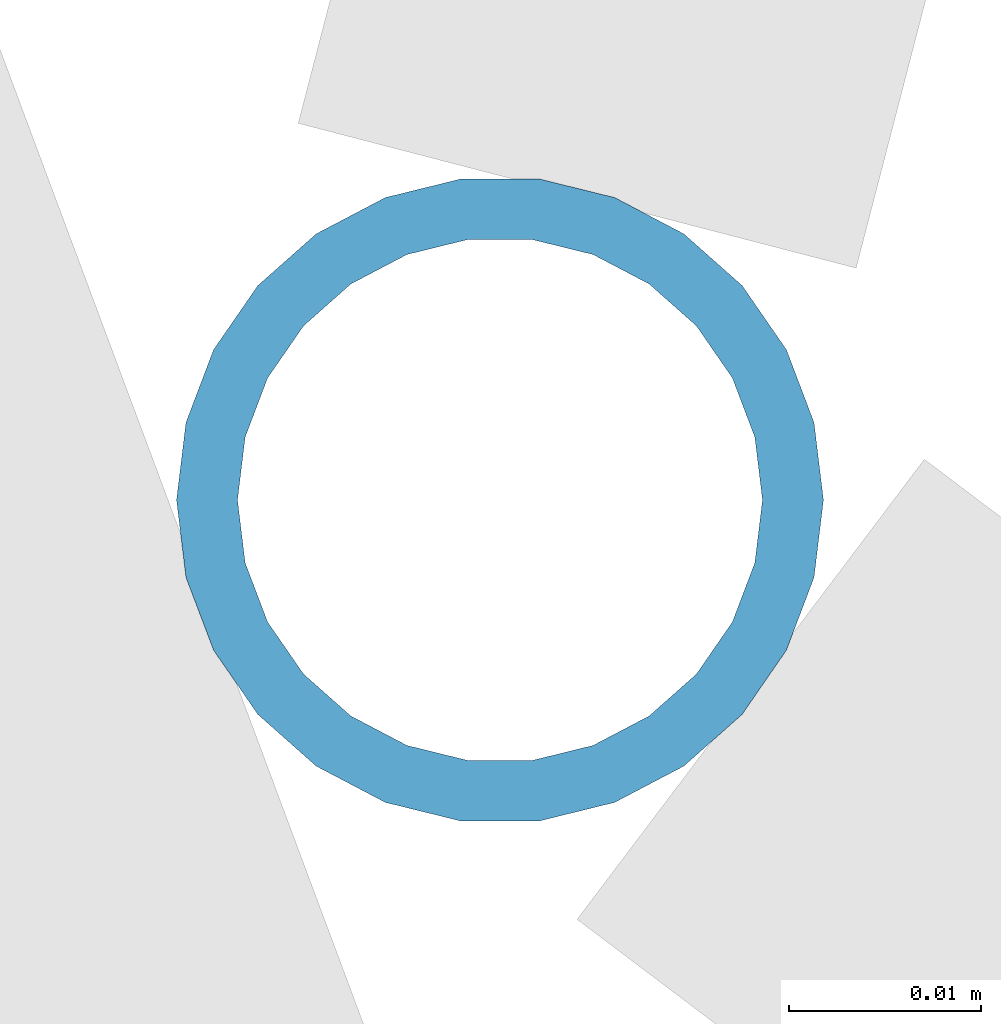
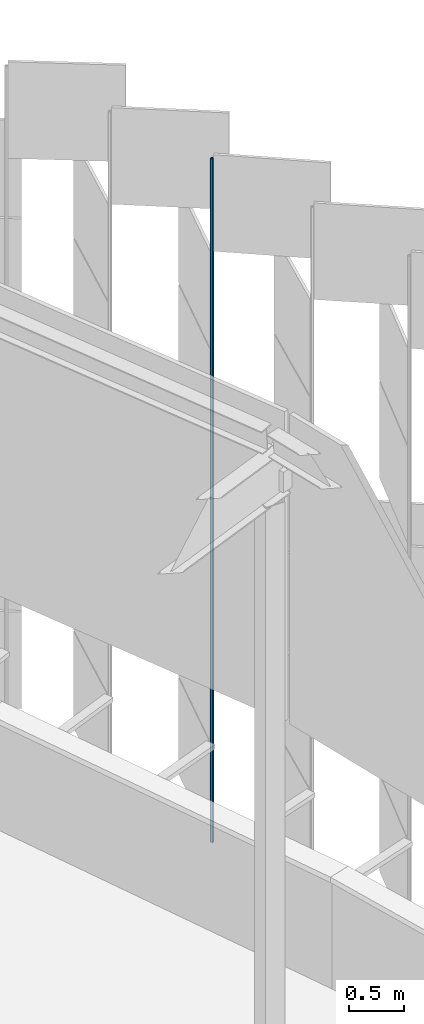
# One storey, part 302 of 483: 1 discrete accessory.
"""IFC4 building model written with IfcOpenShell, lengths in metres."""

from ifc_helpers import new_model, si_unit, direction, frame, origin, origin_2d, place, context, subcontext, project, spatial, hollow_circle, extrude, material, material_profile, profile_set, type_object, element, save


model = new_model("IFC4")

# Units and contexts
model_context = context("Model", 3, precision=1e-05, world=origin(), true_north=direction((0.0, 1.0)))
body_context = subcontext(model_context, "Body", "Model", "MODEL_VIEW")
ifc_project = project(units=[si_unit("LENGTHUNIT", "METRE"), si_unit("AREAUNIT", "SQUARE_METRE"), si_unit("VOLUMEUNIT", "CUBIC_METRE"), si_unit("PLANEANGLEUNIT", "RADIAN"), si_unit("MASSUNIT", "GRAM", prefix="KILO")], contexts=[model_context])

# Site, building, storey
site_placement = place(None, origin())
site = spatial("IfcSite", under=ifc_project, at=site_placement, CompositionType="ELEMENT")
building_placement = place(site_placement, origin())
building = spatial("IfcBuilding", under=site, at=building_placement, Name="Parallax Yard Mobility Hub", CompositionType="ELEMENT")
storey_placement = place(building_placement, frame((0.0, 0.0, 13.199951171875)))
storey = spatial("IfcBuildingStorey", under=building, at=storey_placement, Name="L04", CompositionType="ELEMENT", Elevation=13.199951171875)

# Discrete accessory
ifc_material = material(Name="Steel ASTM A500 Gr C, hot-dip galvanised", Category="steel")
ifc_material_profile = material_profile(ifc_material, hollow_circle(Radius=0.016845703125, WallThickness=0.003173828125, at=origin_2d()), Name="CHS 33.7x3.2")
ifc_profile_set = profile_set([ifc_material_profile], Name="Steel ASTM A500 Gr C, hot-dip galvanised")
discrete_accessory_type = type_object("IfcDiscreteAccessoryType", Name="Hinge post CHS 33.7x3.2", PredefinedType="BRACKET", material=ifc_profile_set)
discrete_accessory_placement = place(storey_placement, frame((222.4189453125, 108.734130859375, 0.0), z_axis=(0.0, 0.0, 1.0), x_axis=(1.0, 0.0, 0.0)))
element("IfcDiscreteAccessory", 1, at=discrete_accessory_placement, inside=storey, type_object=discrete_accessory_type, Name="Hinge post bay 43.3 level L04", PredefinedType="BRACKET", context=body_context, shape_type="SweptSolid", body=[
    extrude(hollow_circle(Radius=0.016845703125, WallThickness=0.003173828125, at=origin_2d()), origin(), (0.0, 0.0, 1.0), 7.650146484375),
])

save(model, "model.ifc")
